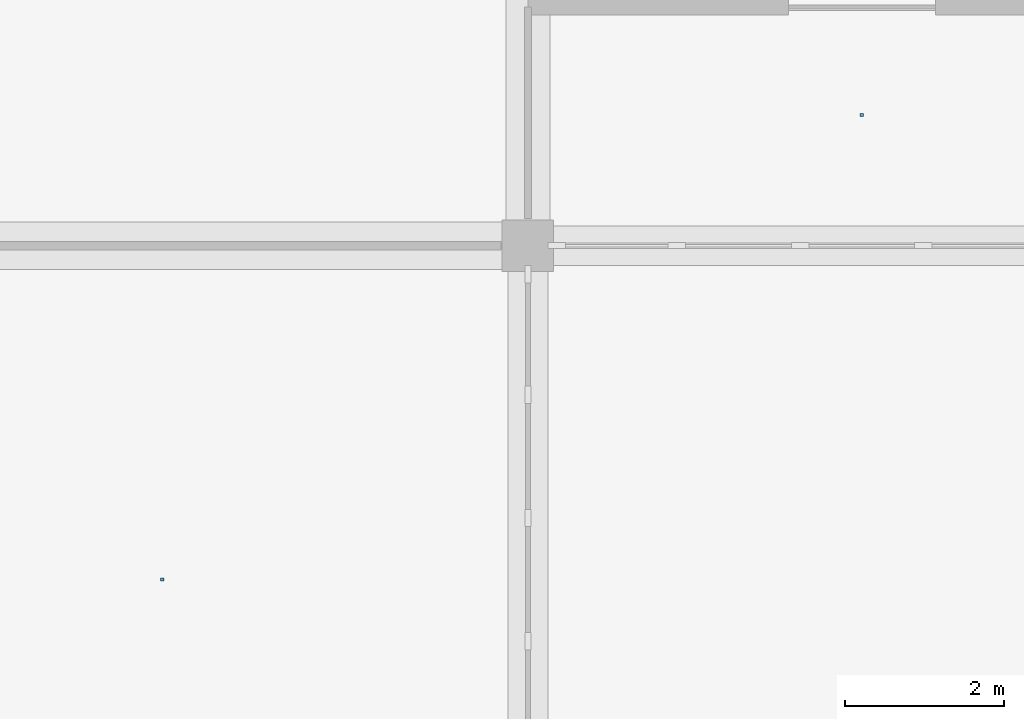
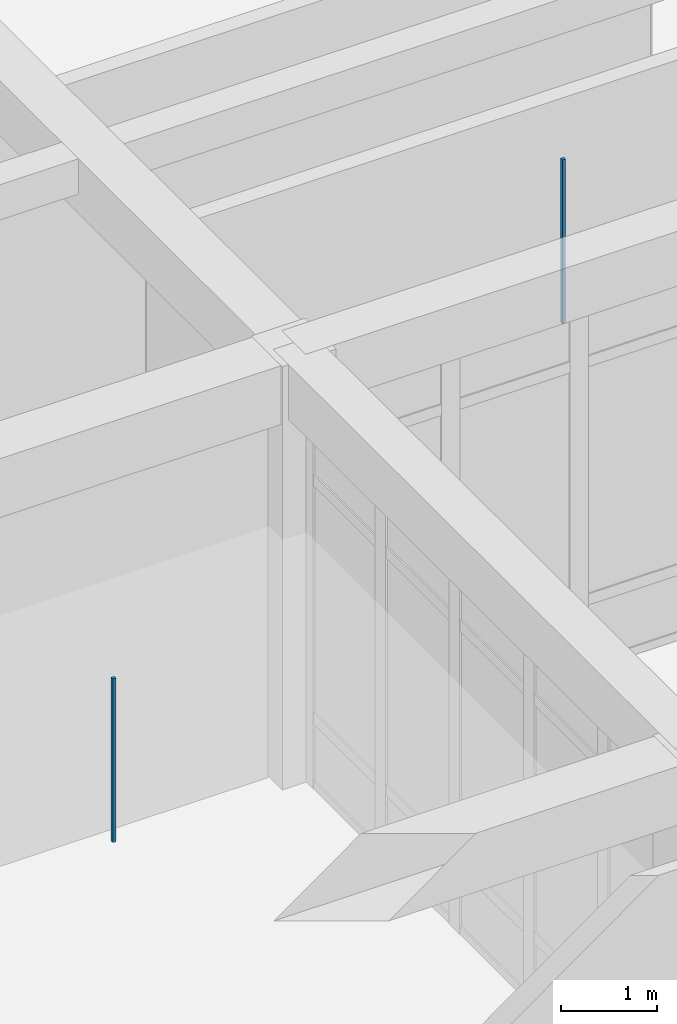
# One storey, part 96 of 167: 2 discrete accessories.
"""IFC4 building model written with IfcOpenShell, lengths in metres."""

from ifc_helpers import new_model, si_unit, direction, frame, origin, origin_2d, place, context, subcontext, project, spatial, rectangle, extrude, material, type_object, element, save


model = new_model("IFC4")

# Units and contexts
model_context = context("Model", 3, precision=1e-05, world=origin(), true_north=direction((0.0, 1.0)))
body_context = subcontext(model_context, "Body", "Model", "MODEL_VIEW")
ifc_project = project(units=[si_unit("LENGTHUNIT", "METRE"), si_unit("AREAUNIT", "SQUARE_METRE"), si_unit("VOLUMEUNIT", "CUBIC_METRE"), si_unit("PLANEANGLEUNIT", "RADIAN"), si_unit("MASSUNIT", "GRAM", prefix="KILO")], contexts=[model_context])

# Site, building, storey
site_placement = place(None, origin())
site = spatial("IfcSite", under=ifc_project, at=site_placement, CompositionType="ELEMENT")
building_placement = place(site_placement, origin())
building = spatial("IfcBuilding", under=site, at=building_placement, Name="Varncliffe General Hospital", CompositionType="ELEMENT")
storey_placement = place(building_placement, origin())
storey = spatial("IfcBuildingStorey", under=building, at=storey_placement, Name="L00", CompositionType="ELEMENT", Elevation=0.0)

# Discrete accessories
ifc_material = material(Name="Powder-coated hospital steel guardrail and handrail", Category="steel")
discrete_accessory_type = type_object("IfcDiscreteAccessoryType", Name="Suspended Ceiling Hanger Bracket CH01", PredefinedType="BRACKET", material=ifc_material)
for number, where, z_axis, x_axis, name in (
    (1, (20.60009765625, 78.60009765625, 3.18994140625), (0.0, 0.0, 1.0), (1.0, 0.0, 0.0), "L00 Suspended Ceiling Hanger 34"),
    (2, (29.39990234375, 84.4423828125, 3.18994140625), (0.0, 0.0, 1.0), (1.0, 0.0, 0.0), "L00 Suspended Ceiling Hanger 35"),
):
    element("IfcDiscreteAccessory", number, at=place(storey_placement, frame(where, z_axis=z_axis, x_axis=x_axis)), inside=storey, type_object=discrete_accessory_type, Name=name, PredefinedType="BRACKET", context=body_context, shape_type="SweptSolid", body=[
        extrude(rectangle(XDim=0.0400390625, YDim=0.0400390625, at=origin_2d()), origin(), (0.0, 0.0, 1.0), 2.090087890625),
    ])

save(model, "model.ifc")
